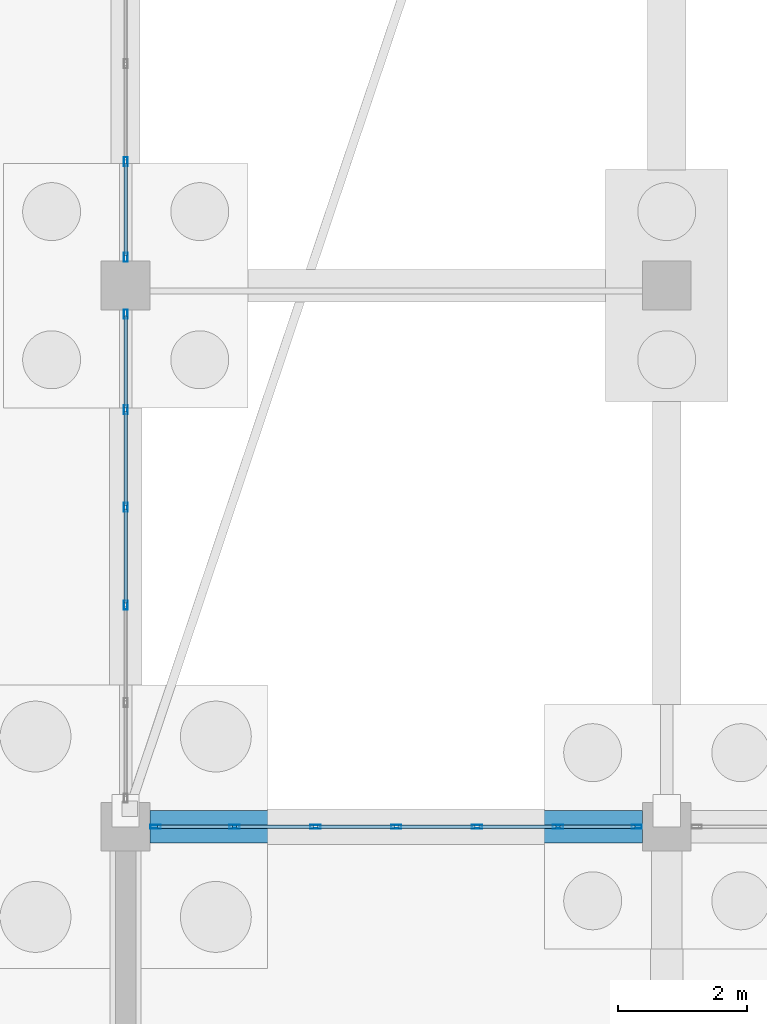
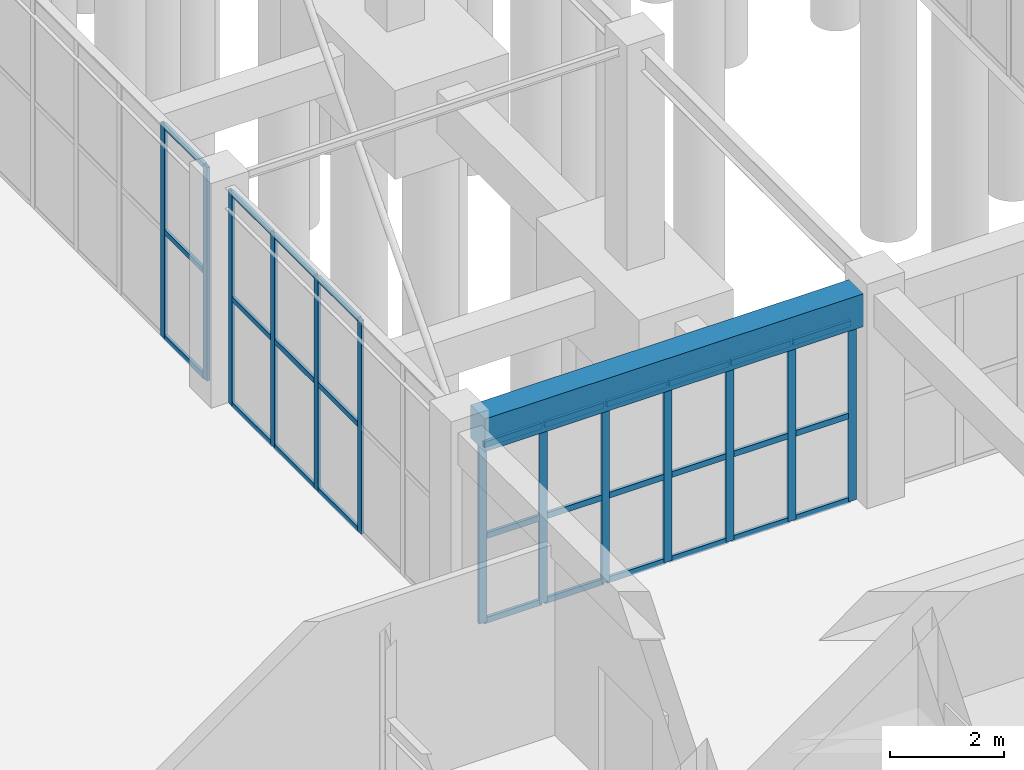
# One storey, part 95 of 192: 43 members, 1 beam, 3 elements without a shape of their own.
"""IFC4 building model written with IfcOpenShell, lengths in metres."""

from ifc_helpers import new_model, si_unit, direction, frame, origin, origin_2d, place, context, subcontext, project, spatial, rectangle, hollow_rectangle, extrude, material, layer, layer_set, material_profile, profile_set, type_object, element, aggregate, save


model = new_model("IFC4")

# Units and contexts
model_context = context("Model", 3, precision=1e-05, world=origin(), true_north=direction((0.0, 1.0)))
body_context = subcontext(model_context, "Body", "Model", "MODEL_VIEW")
ifc_project = project(units=[si_unit("LENGTHUNIT", "METRE"), si_unit("AREAUNIT", "SQUARE_METRE"), si_unit("VOLUMEUNIT", "CUBIC_METRE"), si_unit("PLANEANGLEUNIT", "RADIAN"), si_unit("MASSUNIT", "GRAM", prefix="KILO")], contexts=[model_context])

# Site, building, storey
site_placement = place(None, origin())
site = spatial("IfcSite", under=ifc_project, at=site_placement, CompositionType="ELEMENT")
building_placement = place(site_placement, origin())
building = spatial("IfcBuilding", under=site, at=building_placement, Name="Trelvath General Hospital", CompositionType="ELEMENT")
storey_placement = place(building_placement, origin())
storey = spatial("IfcBuildingStorey", under=building, at=storey_placement, Name="L00", CompositionType="ELEMENT", Elevation=0.0)

# Beam
ifc_material_1 = material(Name="Concrete C35/45", Category="concrete")
ifc_material_profile_1 = material_profile(ifc_material_1, rectangle(XDim=0.5, YDim=0.699951171875, at=origin_2d()), Name="RCB500x700")
ifc_profile_set_1 = profile_set([ifc_material_profile_1], Name="Concrete C35/45")
beam_type = type_object("IfcBeamType", Name="Beam RC500x700", PredefinedType="BEAM", material=ifc_profile_set_1)
beam_placement = place(storey_placement, frame((75.97509765625, 67.199951171875, 4.169921875), z_axis=(1.0, 0.0, 0.0), x_axis=(0.0, 1.0, 0.0)))
element("IfcBeam", 1, at=beam_placement, inside=storey, type_object=beam_type, Name="Grid Beam BX-009I", PredefinedType="BEAM", context=body_context, shape_type="SweptSolid", body=[
    extrude(rectangle(XDim=0.5, YDim=0.699951171875, at=origin_2d()), origin(), (0.0, 0.0, 1.0), 7.64990234375),
])

# Curtain wall, members
ifc_material_2 = material(Name="Anodised aluminium and low-E glass", Category="aluminium")
ifc_layer_1 = layer(ifc_material_2, 0.139892578125)
ifc_layer_set_1 = layer_set([ifc_layer_1], Name="Anodised aluminium and low-E glass")
curtain_wall_type_1 = type_object("IfcCurtainWallType", Name="CW CrystalCube 758 456 14", PredefinedType="USERDEFINED", material=ifc_layer_set_1)
curtain_wall_1_placement = place(storey_placement, origin())
curtain_wall_1 = element("IfcCurtainWall", 2, at=curtain_wall_1_placement, inside=storey, type_object=curtain_wall_type_1, Name="Crystal Cube Curtain Wall CUBE-W-T0 E5 L00", ObjectType="Unitised Glazed Curtain Wall", PredefinedType="USERDEFINED")
ifc_material_3 = material(Name="Anodised aluminium", Category="aluminium")
ifc_material_profile_2 = material_profile(ifc_material_3, hollow_rectangle(XDim=0.06005859375, YDim=0.139892578125, WallThickness=0.00390625, at=origin_2d()), Name="RHS60x140x4")
ifc_profile_set_2 = profile_set([ifc_material_profile_2], Name="Anodised aluminium")
member_type_1 = type_object("IfcMemberType", Name="CurtainMullion 60x140", PredefinedType="MULLION", material=ifc_profile_set_2)
member_1_placement = place(storey_placement, frame((75.60009765625, 75.159912109375, 0.0), z_axis=(0.0, 0.0, 1.0), x_axis=(1.0, 0.0, 0.0)))
member_1 = element("IfcMember", 3, at=member_1_placement, type_object=member_type_1, Name="CW-101 mullion 1", PredefinedType="MULLION", context=body_context, shape_type="SweptSolid", body=[
    extrude(hollow_rectangle(XDim=0.06005859375, YDim=0.139892578125, WallThickness=0.00390625, at=origin_2d()), origin(), (0.0, 0.0, 1.0), 4.56005859375),
])
member_2_placement = place(storey_placement, frame((75.60009765625, 73.674072265625, 0.0), z_axis=(0.0, 0.0, 1.0), x_axis=(1.0, 0.0, 0.0)))
member_2 = element("IfcMember", 4, at=member_2_placement, type_object=member_type_1, Name="CW-101 mullion 2", PredefinedType="MULLION", context=body_context, shape_type="SweptSolid", body=[
    extrude(hollow_rectangle(XDim=0.06005859375, YDim=0.139892578125, WallThickness=0.00390625, at=origin_2d()), origin(), (0.0, 0.0, 1.0), 4.56005859375),
])
member_3_placement = place(storey_placement, frame((75.60009765625, 72.157958984375, 0.0), z_axis=(0.0, 0.0, 1.0), x_axis=(1.0, 0.0, 0.0)))
member_3 = element("IfcMember", 5, at=member_3_placement, type_object=member_type_1, Name="CW-101 mullion 3", PredefinedType="MULLION", context=body_context, shape_type="SweptSolid", body=[
    extrude(hollow_rectangle(XDim=0.06005859375, YDim=0.139892578125, WallThickness=0.00390625, at=origin_2d()), origin(), (0.0, 0.0, 1.0), 4.56005859375),
])
member_4_placement = place(storey_placement, frame((75.60009765625, 70.64208984375, 0.0), z_axis=(0.0, 0.0, 1.0), x_axis=(1.0, 0.0, 0.0)))
member_4 = element("IfcMember", 6, at=member_4_placement, type_object=member_type_1, Name="CW-101 mullion 4", PredefinedType="MULLION", context=body_context, shape_type="SweptSolid", body=[
    extrude(hollow_rectangle(XDim=0.06005859375, YDim=0.139892578125, WallThickness=0.00390625, at=origin_2d()), origin(), (0.0, 0.0, 1.0), 4.56005859375),
])

curtain_wall_2_placement = place(storey_placement, origin())
curtain_wall_2 = element("IfcCurtainWall", 7, at=curtain_wall_2_placement, inside=storey, type_object=curtain_wall_type_1, Name="Crystal Cube Curtain Wall CUBE-W-T0 E6 L00", ObjectType="Unitised Glazed Curtain Wall", PredefinedType="USERDEFINED")
member_5_placement = place(storey_placement, frame((75.60009765625, 77.52587890625, 0.0), z_axis=(0.0, 0.0, 1.0), x_axis=(1.0, 0.0, 0.0)))
member_5 = element("IfcMember", 8, at=member_5_placement, type_object=member_type_1, Name="CW-103 mullion 5", PredefinedType="MULLION", context=body_context, shape_type="SweptSolid", body=[
    extrude(hollow_rectangle(XDim=0.06005859375, YDim=0.139892578125, WallThickness=0.00390625, at=origin_2d()), origin(), (0.0, 0.0, 1.0), 4.56005859375),
])
member_6_placement = place(storey_placement, frame((75.60009765625, 76.0400390625, 0.0), z_axis=(0.0, 0.0, 1.0), x_axis=(1.0, 0.0, 0.0)))
member_6 = element("IfcMember", 9, at=member_6_placement, type_object=member_type_1, Name="CW-103 mullion 6", PredefinedType="MULLION", context=body_context, shape_type="SweptSolid", body=[
    extrude(hollow_rectangle(XDim=0.06005859375, YDim=0.139892578125, WallThickness=0.00390625, at=origin_2d()), origin(), (0.0, 0.0, 1.0), 4.56005859375),
])

ifc_material_4 = material(Name="Anodised aluminium and low-E glass", Category="aluminium")
ifc_layer_2 = layer(ifc_material_4, 0.159912109375)
ifc_layer_set_2 = layer_set([ifc_layer_2], Name="Anodised aluminium and low-E glass")
curtain_wall_type_2 = type_object("IfcCurtainWallType", Name="CW Facade 753 382 16", PredefinedType="USERDEFINED", material=ifc_layer_set_2)
curtain_wall_3_placement = place(storey_placement, origin())
curtain_wall_3 = element("IfcCurtainWall", 10, at=curtain_wall_3_placement, inside=storey, type_object=curtain_wall_type_2, Name="Facade Curtain Wall CW-002", ObjectType="Unitised Glazed Curtain Wall", PredefinedType="USERDEFINED")
ifc_material_5 = material(Name="Anodised aluminium", Category="aluminium")
ifc_material_profile_3 = material_profile(ifc_material_5, hollow_rectangle(XDim=0.06005859375, YDim=0.159912109375, WallThickness=0.00390625, at=origin_2d()), Name="RHS60x160x4")
ifc_profile_set_3 = profile_set([ifc_material_profile_3], Name="Anodised aluminium")
member_type_2 = type_object("IfcMemberType", Name="CurtainMullion 60x160", PredefinedType="MULLION", material=ifc_profile_set_3)
member_7_placement = place(storey_placement, frame((76.06494140625, 67.199951171875, 0.0), z_axis=(0.0, 0.0, 1.0), x_axis=(0.0, 1.0, 0.0)))
member_7 = element("IfcMember", 11, at=member_7_placement, type_object=member_type_2, Name="CW-002 mullion 1", PredefinedType="MULLION", context=body_context, shape_type="SweptSolid", body=[
    extrude(hollow_rectangle(XDim=0.06005859375, YDim=0.159912109375, WallThickness=0.00390625, at=origin_2d()), origin(), (0.0, 0.0, 1.0), 3.820068359375),
])
member_8_placement = place(storey_placement, frame((77.2900390625, 67.199951171875, 0.0), z_axis=(0.0, 0.0, 1.0), x_axis=(0.0, 1.0, 0.0)))
member_8 = element("IfcMember", 12, at=member_8_placement, type_object=member_type_2, Name="CW-002 mullion 2", PredefinedType="MULLION", context=body_context, shape_type="SweptSolid", body=[
    extrude(hollow_rectangle(XDim=0.06005859375, YDim=0.159912109375, WallThickness=0.00390625, at=origin_2d()), origin(), (0.0, 0.0, 1.0), 3.820068359375),
])
member_9_placement = place(storey_placement, frame((78.544921875, 67.199951171875, 0.0), z_axis=(0.0, 0.0, 1.0), x_axis=(0.0, 1.0, 0.0)))
member_9 = element("IfcMember", 13, at=member_9_placement, type_object=member_type_2, Name="CW-002 mullion 3", PredefinedType="MULLION", context=body_context, shape_type="SweptSolid", body=[
    extrude(hollow_rectangle(XDim=0.06005859375, YDim=0.159912109375, WallThickness=0.00390625, at=origin_2d()), origin(), (0.0, 0.0, 1.0), 3.820068359375),
])
member_10_placement = place(storey_placement, frame((79.800048828125, 67.199951171875, 0.0), z_axis=(0.0, 0.0, 1.0), x_axis=(0.0, 1.0, 0.0)))
member_10 = element("IfcMember", 14, at=member_10_placement, type_object=member_type_2, Name="CW-002 mullion 4", PredefinedType="MULLION", context=body_context, shape_type="SweptSolid", body=[
    extrude(hollow_rectangle(XDim=0.06005859375, YDim=0.159912109375, WallThickness=0.00390625, at=origin_2d()), origin(), (0.0, 0.0, 1.0), 3.820068359375),
])
member_11_placement = place(storey_placement, frame((81.054931640625, 67.199951171875, 0.0), z_axis=(0.0, 0.0, 1.0), x_axis=(0.0, 1.0, 0.0)))
member_11 = element("IfcMember", 15, at=member_11_placement, type_object=member_type_2, Name="CW-002 mullion 5", PredefinedType="MULLION", context=body_context, shape_type="SweptSolid", body=[
    extrude(hollow_rectangle(XDim=0.06005859375, YDim=0.159912109375, WallThickness=0.00390625, at=origin_2d()), origin(), (0.0, 0.0, 1.0), 3.820068359375),
])
member_12_placement = place(storey_placement, frame((82.31005859375, 67.199951171875, 0.0), z_axis=(0.0, 0.0, 1.0), x_axis=(0.0, 1.0, 0.0)))
member_12 = element("IfcMember", 16, at=member_12_placement, type_object=member_type_2, Name="CW-002 mullion 6", PredefinedType="MULLION", context=body_context, shape_type="SweptSolid", body=[
    extrude(hollow_rectangle(XDim=0.06005859375, YDim=0.159912109375, WallThickness=0.00390625, at=origin_2d()), origin(), (0.0, 0.0, 1.0), 3.820068359375),
])
member_13_placement = place(storey_placement, frame((83.534912109375, 67.199951171875, 0.0), z_axis=(0.0, 0.0, 1.0), x_axis=(0.0, 1.0, 0.0)))
member_13 = element("IfcMember", 17, at=member_13_placement, type_object=member_type_2, Name="CW-002 mullion 7", PredefinedType="MULLION", context=body_context, shape_type="SweptSolid", body=[
    extrude(hollow_rectangle(XDim=0.06005859375, YDim=0.159912109375, WallThickness=0.00390625, at=origin_2d()), origin(), (0.0, 0.0, 1.0), 3.820068359375),
])

# Member
ifc_material_6 = material(Name="Anodised aluminium", Category="aluminium")
ifc_material_profile_4 = material_profile(ifc_material_6, hollow_rectangle(XDim=0.06005859375, YDim=0.110107421875, WallThickness=0.00390625, at=origin_2d()), Name="RHS60x110x4")
ifc_profile_set_4 = profile_set([ifc_material_profile_4], Name="Anodised aluminium")
member_type_3 = type_object("IfcMemberType", Name="CurtainTransom 60x110", PredefinedType="USERDEFINED", material=ifc_profile_set_4)
member_14_placement = place(storey_placement, frame((75.60009765625, 75.1298828125, 0.030029296875), z_axis=(0.0, -1.0, 0.0), x_axis=(1.0, 0.0, 0.0)))
member_14 = element("IfcMember", 18, at=member_14_placement, type_object=member_type_3, Name="CW-101 transom 1.1", ObjectType="TRANSOM", PredefinedType="USERDEFINED", context=body_context, shape_type="SweptSolid", body=[
    extrude(hollow_rectangle(XDim=0.06005859375, YDim=0.110107421875, WallThickness=0.00390625, at=origin_2d()), origin(), (0.0, 0.0, 1.0), 1.42578125),
])

member_15_placement = place(storey_placement, frame((75.60009765625, 75.1298828125, 2.280029296875), z_axis=(0.0, -1.0, 0.0), x_axis=(1.0, 0.0, 0.0)))
member_15 = element("IfcMember", 19, at=member_15_placement, type_object=member_type_3, Name="CW-101 transom 1.2", ObjectType="TRANSOM", PredefinedType="USERDEFINED", context=body_context, shape_type="SweptSolid", body=[
    extrude(hollow_rectangle(XDim=0.06005859375, YDim=0.110107421875, WallThickness=0.00390625, at=origin_2d()), origin(), (0.0, 0.0, 1.0), 1.42578125),
])

member_16_placement = place(storey_placement, frame((75.60009765625, 75.1298828125, 4.530029296875), z_axis=(0.0, -1.0, 0.0), x_axis=(1.0, 0.0, 0.0)))
member_16 = element("IfcMember", 20, at=member_16_placement, type_object=member_type_3, Name="CW-101 transom 1.3", ObjectType="TRANSOM", PredefinedType="USERDEFINED", context=body_context, shape_type="SweptSolid", body=[
    extrude(hollow_rectangle(XDim=0.06005859375, YDim=0.110107421875, WallThickness=0.00390625, at=origin_2d()), origin(), (0.0, 0.0, 1.0), 1.42578125),
])

member_17_placement = place(storey_placement, frame((75.60009765625, 73.64404296875, 0.030029296875), z_axis=(0.0, -1.0, 0.0), x_axis=(1.0, 0.0, 0.0)))
member_17 = element("IfcMember", 21, at=member_17_placement, type_object=member_type_3, Name="CW-101 transom 2.1", ObjectType="TRANSOM", PredefinedType="USERDEFINED", context=body_context, shape_type="SweptSolid", body=[
    extrude(hollow_rectangle(XDim=0.06005859375, YDim=0.110107421875, WallThickness=0.00390625, at=origin_2d()), origin(), (0.0, 0.0, 1.0), 1.4560546875),
])

member_18_placement = place(storey_placement, frame((75.60009765625, 73.64404296875, 2.280029296875), z_axis=(0.0, -1.0, 0.0), x_axis=(1.0, 0.0, 0.0)))
member_18 = element("IfcMember", 22, at=member_18_placement, type_object=member_type_3, Name="CW-101 transom 2.2", ObjectType="TRANSOM", PredefinedType="USERDEFINED", context=body_context, shape_type="SweptSolid", body=[
    extrude(hollow_rectangle(XDim=0.06005859375, YDim=0.110107421875, WallThickness=0.00390625, at=origin_2d()), origin(), (0.0, 0.0, 1.0), 1.4560546875),
])

member_19_placement = place(storey_placement, frame((75.60009765625, 73.64404296875, 4.530029296875), z_axis=(0.0, -1.0, 0.0), x_axis=(1.0, 0.0, 0.0)))
member_19 = element("IfcMember", 23, at=member_19_placement, type_object=member_type_3, Name="CW-101 transom 2.3", ObjectType="TRANSOM", PredefinedType="USERDEFINED", context=body_context, shape_type="SweptSolid", body=[
    extrude(hollow_rectangle(XDim=0.06005859375, YDim=0.110107421875, WallThickness=0.00390625, at=origin_2d()), origin(), (0.0, 0.0, 1.0), 1.4560546875),
])

member_20_placement = place(storey_placement, frame((75.60009765625, 72.1279296875, 0.030029296875), z_axis=(0.0, -1.0, 0.0), x_axis=(1.0, 0.0, 0.0)))
member_20 = element("IfcMember", 24, at=member_20_placement, type_object=member_type_3, Name="CW-101 transom 3.1", ObjectType="TRANSOM", PredefinedType="USERDEFINED", context=body_context, shape_type="SweptSolid", body=[
    extrude(hollow_rectangle(XDim=0.06005859375, YDim=0.110107421875, WallThickness=0.00390625, at=origin_2d()), origin(), (0.0, 0.0, 1.0), 1.455810546875),
])

member_21_placement = place(storey_placement, frame((75.60009765625, 72.1279296875, 2.280029296875), z_axis=(0.0, -1.0, 0.0), x_axis=(1.0, 0.0, 0.0)))
member_21 = element("IfcMember", 25, at=member_21_placement, type_object=member_type_3, Name="CW-101 transom 3.2", ObjectType="TRANSOM", PredefinedType="USERDEFINED", context=body_context, shape_type="SweptSolid", body=[
    extrude(hollow_rectangle(XDim=0.06005859375, YDim=0.110107421875, WallThickness=0.00390625, at=origin_2d()), origin(), (0.0, 0.0, 1.0), 1.455810546875),
])

member_22_placement = place(storey_placement, frame((75.60009765625, 72.1279296875, 4.530029296875), z_axis=(0.0, -1.0, 0.0), x_axis=(1.0, 0.0, 0.0)))
member_22 = element("IfcMember", 26, at=member_22_placement, type_object=member_type_3, Name="CW-101 transom 3.3", ObjectType="TRANSOM", PredefinedType="USERDEFINED", context=body_context, shape_type="SweptSolid", body=[
    extrude(hollow_rectangle(XDim=0.06005859375, YDim=0.110107421875, WallThickness=0.00390625, at=origin_2d()), origin(), (0.0, 0.0, 1.0), 1.455810546875),
])

aggregate(curtain_wall_1, [member_1, member_2, member_3, member_4, member_14, member_15, member_16, member_17, member_18, member_19, member_20, member_21, member_22])

member_23_placement = place(storey_placement, frame((75.60009765625, 77.49609375, 0.030029296875), z_axis=(0.0, -1.0, 0.0), x_axis=(1.0, 0.0, 0.0)))
member_23 = element("IfcMember", 27, at=member_23_placement, type_object=member_type_3, Name="CW-103 transom 5.1", ObjectType="TRANSOM", PredefinedType="USERDEFINED", context=body_context, shape_type="SweptSolid", body=[
    extrude(hollow_rectangle(XDim=0.06005859375, YDim=0.110107421875, WallThickness=0.00390625, at=origin_2d()), origin(), (0.0, 0.0, 1.0), 1.426025390625),
])

member_24_placement = place(storey_placement, frame((75.60009765625, 77.49609375, 2.280029296875), z_axis=(0.0, -1.0, 0.0), x_axis=(1.0, 0.0, 0.0)))
member_24 = element("IfcMember", 28, at=member_24_placement, type_object=member_type_3, Name="CW-103 transom 5.2", ObjectType="TRANSOM", PredefinedType="USERDEFINED", context=body_context, shape_type="SweptSolid", body=[
    extrude(hollow_rectangle(XDim=0.06005859375, YDim=0.110107421875, WallThickness=0.00390625, at=origin_2d()), origin(), (0.0, 0.0, 1.0), 1.426025390625),
])

member_25_placement = place(storey_placement, frame((75.60009765625, 77.49609375, 4.530029296875), z_axis=(0.0, -1.0, 0.0), x_axis=(1.0, 0.0, 0.0)))
member_25 = element("IfcMember", 29, at=member_25_placement, type_object=member_type_3, Name="CW-103 transom 5.3", ObjectType="TRANSOM", PredefinedType="USERDEFINED", context=body_context, shape_type="SweptSolid", body=[
    extrude(hollow_rectangle(XDim=0.06005859375, YDim=0.110107421875, WallThickness=0.00390625, at=origin_2d()), origin(), (0.0, 0.0, 1.0), 1.426025390625),
])

aggregate(curtain_wall_2, [member_5, member_6, member_23, member_24, member_25])

ifc_material_7 = material(Name="Anodised aluminium", Category="aluminium")
ifc_material_profile_5 = material_profile(ifc_material_7, hollow_rectangle(XDim=0.06005859375, YDim=0.125, WallThickness=0.00390625, at=origin_2d()), Name="RHS60x125x4")
ifc_profile_set_5 = profile_set([ifc_material_profile_5], Name="Anodised aluminium")
member_type_4 = type_object("IfcMemberType", Name="CurtainTransom 60x125", PredefinedType="USERDEFINED", material=ifc_profile_set_5)
member_26_placement = place(storey_placement, frame((76.094970703125, 67.199951171875, 0.030029296875), z_axis=(1.0, 0.0, 0.0), x_axis=(0.0, 1.0, 0.0)))
member_26 = element("IfcMember", 30, at=member_26_placement, type_object=member_type_4, Name="CW-002 transom 1.1", ObjectType="TRANSOM", PredefinedType="USERDEFINED", context=body_context, shape_type="SweptSolid", body=[
    extrude(hollow_rectangle(XDim=0.06005859375, YDim=0.125, WallThickness=0.00390625, at=origin_2d()), origin(), (0.0, 0.0, 1.0), 1.1650390625),
])

member_27_placement = place(storey_placement, frame((76.094970703125, 67.199951171875, 1.833984375), z_axis=(1.0, 0.0, 0.0), x_axis=(0.0, 1.0, 0.0)))
member_27 = element("IfcMember", 31, at=member_27_placement, type_object=member_type_4, Name="CW-002 transom 1.2", ObjectType="TRANSOM", PredefinedType="USERDEFINED", context=body_context, shape_type="SweptSolid", body=[
    extrude(hollow_rectangle(XDim=0.06005859375, YDim=0.125, WallThickness=0.00390625, at=origin_2d()), origin(), (0.0, 0.0, 1.0), 1.1650390625),
])

member_28_placement = place(storey_placement, frame((76.094970703125, 67.199951171875, 3.7900390625), z_axis=(1.0, 0.0, 0.0), x_axis=(0.0, 1.0, 0.0)))
member_28 = element("IfcMember", 32, at=member_28_placement, type_object=member_type_4, Name="CW-002 transom 1.3", ObjectType="TRANSOM", PredefinedType="USERDEFINED", context=body_context, shape_type="SweptSolid", body=[
    extrude(hollow_rectangle(XDim=0.06005859375, YDim=0.125, WallThickness=0.00390625, at=origin_2d()), origin(), (0.0, 0.0, 1.0), 1.1650390625),
])

member_29_placement = place(storey_placement, frame((77.320068359375, 67.199951171875, 0.030029296875), z_axis=(1.0, 0.0, 0.0), x_axis=(0.0, 1.0, 0.0)))
member_29 = element("IfcMember", 33, at=member_29_placement, type_object=member_type_4, Name="CW-002 transom 2.1", ObjectType="TRANSOM", PredefinedType="USERDEFINED", context=body_context, shape_type="SweptSolid", body=[
    extrude(hollow_rectangle(XDim=0.06005859375, YDim=0.125, WallThickness=0.00390625, at=origin_2d()), origin(), (0.0, 0.0, 1.0), 1.19482421875),
])

member_30_placement = place(storey_placement, frame((77.320068359375, 67.199951171875, 1.833984375), z_axis=(1.0, 0.0, 0.0), x_axis=(0.0, 1.0, 0.0)))
member_30 = element("IfcMember", 34, at=member_30_placement, type_object=member_type_4, Name="CW-002 transom 2.2", ObjectType="TRANSOM", PredefinedType="USERDEFINED", context=body_context, shape_type="SweptSolid", body=[
    extrude(hollow_rectangle(XDim=0.06005859375, YDim=0.125, WallThickness=0.00390625, at=origin_2d()), origin(), (0.0, 0.0, 1.0), 1.19482421875),
])

member_31_placement = place(storey_placement, frame((77.320068359375, 67.199951171875, 3.7900390625), z_axis=(1.0, 0.0, 0.0), x_axis=(0.0, 1.0, 0.0)))
member_31 = element("IfcMember", 35, at=member_31_placement, type_object=member_type_4, Name="CW-002 transom 2.3", ObjectType="TRANSOM", PredefinedType="USERDEFINED", context=body_context, shape_type="SweptSolid", body=[
    extrude(hollow_rectangle(XDim=0.06005859375, YDim=0.125, WallThickness=0.00390625, at=origin_2d()), origin(), (0.0, 0.0, 1.0), 1.19482421875),
])

member_32_placement = place(storey_placement, frame((78.574951171875, 67.199951171875, 0.030029296875), z_axis=(1.0, 0.0, 0.0), x_axis=(0.0, 1.0, 0.0)))
member_32 = element("IfcMember", 36, at=member_32_placement, type_object=member_type_4, Name="CW-002 transom 3.1", ObjectType="TRANSOM", PredefinedType="USERDEFINED", context=body_context, shape_type="SweptSolid", body=[
    extrude(hollow_rectangle(XDim=0.06005859375, YDim=0.125, WallThickness=0.00390625, at=origin_2d()), origin(), (0.0, 0.0, 1.0), 1.195068359375),
])

member_33_placement = place(storey_placement, frame((78.574951171875, 67.199951171875, 1.833984375), z_axis=(1.0, 0.0, 0.0), x_axis=(0.0, 1.0, 0.0)))
member_33 = element("IfcMember", 37, at=member_33_placement, type_object=member_type_4, Name="CW-002 transom 3.2", ObjectType="TRANSOM", PredefinedType="USERDEFINED", context=body_context, shape_type="SweptSolid", body=[
    extrude(hollow_rectangle(XDim=0.06005859375, YDim=0.125, WallThickness=0.00390625, at=origin_2d()), origin(), (0.0, 0.0, 1.0), 1.195068359375),
])

member_34_placement = place(storey_placement, frame((78.574951171875, 67.199951171875, 3.7900390625), z_axis=(1.0, 0.0, 0.0), x_axis=(0.0, 1.0, 0.0)))
member_34 = element("IfcMember", 38, at=member_34_placement, type_object=member_type_4, Name="CW-002 transom 3.3", ObjectType="TRANSOM", PredefinedType="USERDEFINED", context=body_context, shape_type="SweptSolid", body=[
    extrude(hollow_rectangle(XDim=0.06005859375, YDim=0.125, WallThickness=0.00390625, at=origin_2d()), origin(), (0.0, 0.0, 1.0), 1.195068359375),
])

member_35_placement = place(storey_placement, frame((79.830078125, 67.199951171875, 0.030029296875), z_axis=(1.0, 0.0, 0.0), x_axis=(0.0, 1.0, 0.0)))
member_35 = element("IfcMember", 39, at=member_35_placement, type_object=member_type_4, Name="CW-002 transom 4.1", ObjectType="TRANSOM", PredefinedType="USERDEFINED", context=body_context, shape_type="SweptSolid", body=[
    extrude(hollow_rectangle(XDim=0.06005859375, YDim=0.125, WallThickness=0.00390625, at=origin_2d()), origin(), (0.0, 0.0, 1.0), 1.19482421875),
])

member_36_placement = place(storey_placement, frame((79.830078125, 67.199951171875, 1.833984375), z_axis=(1.0, 0.0, 0.0), x_axis=(0.0, 1.0, 0.0)))
member_36 = element("IfcMember", 40, at=member_36_placement, type_object=member_type_4, Name="CW-002 transom 4.2", ObjectType="TRANSOM", PredefinedType="USERDEFINED", context=body_context, shape_type="SweptSolid", body=[
    extrude(hollow_rectangle(XDim=0.06005859375, YDim=0.125, WallThickness=0.00390625, at=origin_2d()), origin(), (0.0, 0.0, 1.0), 1.19482421875),
])

member_37_placement = place(storey_placement, frame((79.830078125, 67.199951171875, 3.7900390625), z_axis=(1.0, 0.0, 0.0), x_axis=(0.0, 1.0, 0.0)))
member_37 = element("IfcMember", 41, at=member_37_placement, type_object=member_type_4, Name="CW-002 transom 4.3", ObjectType="TRANSOM", PredefinedType="USERDEFINED", context=body_context, shape_type="SweptSolid", body=[
    extrude(hollow_rectangle(XDim=0.06005859375, YDim=0.125, WallThickness=0.00390625, at=origin_2d()), origin(), (0.0, 0.0, 1.0), 1.19482421875),
])

member_38_placement = place(storey_placement, frame((81.0849609375, 67.199951171875, 0.030029296875), z_axis=(1.0, 0.0, 0.0), x_axis=(0.0, 1.0, 0.0)))
member_38 = element("IfcMember", 42, at=member_38_placement, type_object=member_type_4, Name="CW-002 transom 5.1", ObjectType="TRANSOM", PredefinedType="USERDEFINED", context=body_context, shape_type="SweptSolid", body=[
    extrude(hollow_rectangle(XDim=0.06005859375, YDim=0.125, WallThickness=0.00390625, at=origin_2d()), origin(), (0.0, 0.0, 1.0), 1.195068359375),
])

member_39_placement = place(storey_placement, frame((81.0849609375, 67.199951171875, 1.833984375), z_axis=(1.0, 0.0, 0.0), x_axis=(0.0, 1.0, 0.0)))
member_39 = element("IfcMember", 43, at=member_39_placement, type_object=member_type_4, Name="CW-002 transom 5.2", ObjectType="TRANSOM", PredefinedType="USERDEFINED", context=body_context, shape_type="SweptSolid", body=[
    extrude(hollow_rectangle(XDim=0.06005859375, YDim=0.125, WallThickness=0.00390625, at=origin_2d()), origin(), (0.0, 0.0, 1.0), 1.195068359375),
])

member_40_placement = place(storey_placement, frame((81.0849609375, 67.199951171875, 3.7900390625), z_axis=(1.0, 0.0, 0.0), x_axis=(0.0, 1.0, 0.0)))
member_40 = element("IfcMember", 44, at=member_40_placement, type_object=member_type_4, Name="CW-002 transom 5.3", ObjectType="TRANSOM", PredefinedType="USERDEFINED", context=body_context, shape_type="SweptSolid", body=[
    extrude(hollow_rectangle(XDim=0.06005859375, YDim=0.125, WallThickness=0.00390625, at=origin_2d()), origin(), (0.0, 0.0, 1.0), 1.195068359375),
])

member_41_placement = place(storey_placement, frame((82.340087890625, 67.199951171875, 0.030029296875), z_axis=(1.0, 0.0, 0.0), x_axis=(0.0, 1.0, 0.0)))
member_41 = element("IfcMember", 45, at=member_41_placement, type_object=member_type_4, Name="CW-002 transom 6.1", ObjectType="TRANSOM", PredefinedType="USERDEFINED", context=body_context, shape_type="SweptSolid", body=[
    extrude(hollow_rectangle(XDim=0.06005859375, YDim=0.125, WallThickness=0.00390625, at=origin_2d()), origin(), (0.0, 0.0, 1.0), 1.164794921875),
])

member_42_placement = place(storey_placement, frame((82.340087890625, 67.199951171875, 1.833984375), z_axis=(1.0, 0.0, 0.0), x_axis=(0.0, 1.0, 0.0)))
member_42 = element("IfcMember", 46, at=member_42_placement, type_object=member_type_4, Name="CW-002 transom 6.2", ObjectType="TRANSOM", PredefinedType="USERDEFINED", context=body_context, shape_type="SweptSolid", body=[
    extrude(hollow_rectangle(XDim=0.06005859375, YDim=0.125, WallThickness=0.00390625, at=origin_2d()), origin(), (0.0, 0.0, 1.0), 1.164794921875),
])

member_43_placement = place(storey_placement, frame((82.340087890625, 67.199951171875, 3.7900390625), z_axis=(1.0, 0.0, 0.0), x_axis=(0.0, 1.0, 0.0)))
member_43 = element("IfcMember", 47, at=member_43_placement, type_object=member_type_4, Name="CW-002 transom 6.3", ObjectType="TRANSOM", PredefinedType="USERDEFINED", context=body_context, shape_type="SweptSolid", body=[
    extrude(hollow_rectangle(XDim=0.06005859375, YDim=0.125, WallThickness=0.00390625, at=origin_2d()), origin(), (0.0, 0.0, 1.0), 1.164794921875),
])

aggregate(curtain_wall_3, [member_7, member_8, member_9, member_10, member_11, member_12, member_13, member_26, member_27, member_28, member_29, member_30, member_31, member_32, member_33, member_34, member_35, member_36, member_37, member_38, member_39, member_40, member_41, member_42, member_43])

save(model, "model.ifc")
